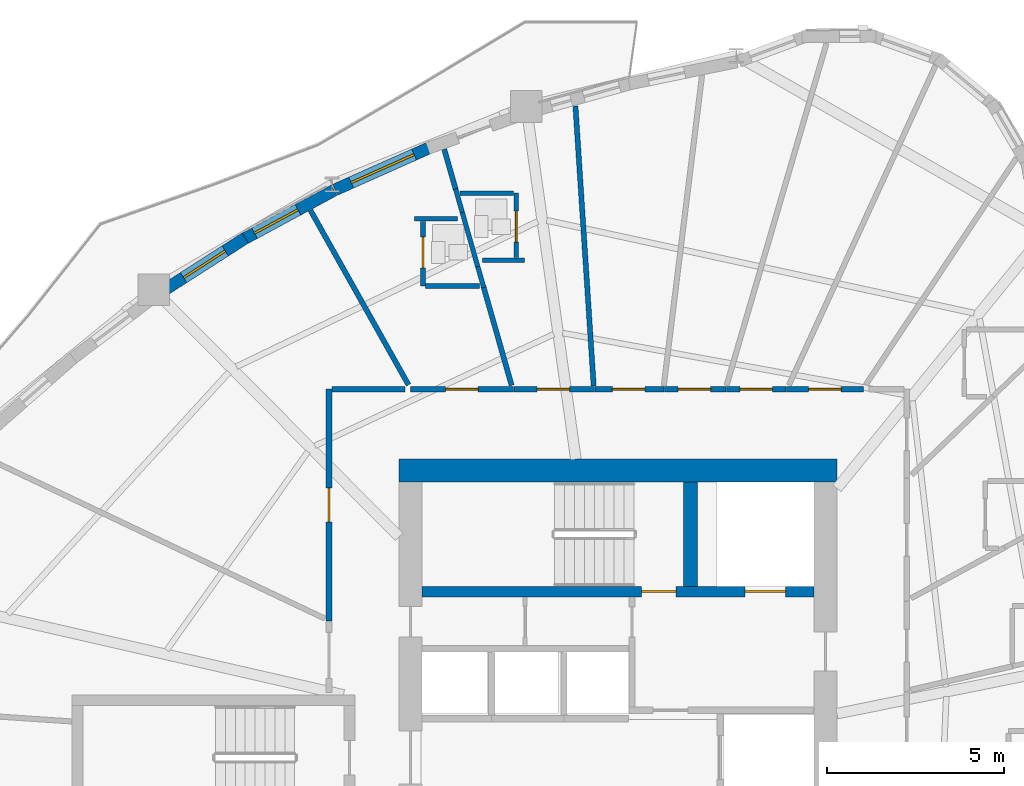
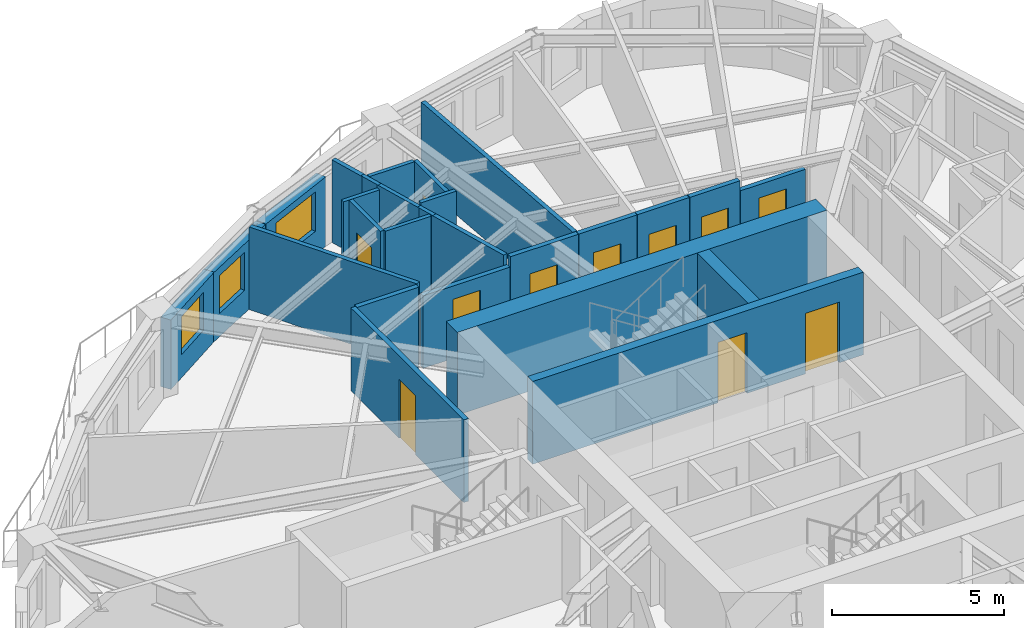
# One storey, part 9 of 17: 27 walls, 11 doors, 3 windows, 14 openings.
"""IFC4 building model written with IfcOpenShell, lengths in metres."""

from ifc_helpers import new_model, si_unit, direction, frame, frame_2d, origin, place, context, subcontext, project, spatial, rectangle, extrude, source, transform, mapped, material, layer, layer_set, type_object, element, fill, save


model = new_model("IFC4")

# Units and contexts
model_context = context("Model", 3, precision=1e-05, world=origin(), true_north=direction((0.0, 1.0)))
body_context = subcontext(model_context, "Body", "Model", "MODEL_VIEW")
ifc_project = project(units=[si_unit("LENGTHUNIT", "METRE"), si_unit("AREAUNIT", "SQUARE_METRE"), si_unit("VOLUMEUNIT", "CUBIC_METRE"), si_unit("PLANEANGLEUNIT", "RADIAN"), si_unit("MASSUNIT", "GRAM", prefix="KILO")], contexts=[model_context])

# Site, building, storey
site_placement = place(None, origin())
site = spatial("IfcSite", under=ifc_project, at=site_placement, CompositionType="ELEMENT")
building_placement = place(site_placement, origin())
building = spatial("IfcBuilding", under=site, at=building_placement, Name="Qafzar Sky-Pleat Residences", CompositionType="ELEMENT")
storey_placement = place(building_placement, frame((0.0, 0.0, 108.800048828125)))
storey = spatial("IfcBuildingStorey", under=building, at=storey_placement, Name="L32", CompositionType="ELEMENT", Elevation=108.800048828125)

# Wall, opening, door
ifc_material_1 = material(Name="Acoustic gypsum plasterboard partition", Category="gypsum")
ifc_layer_1 = layer(ifc_material_1, 0.159912109375)
ifc_layer_set_1 = layer_set([ifc_layer_1], Name="Acoustic gypsum plasterboard partition")
wall_type_1 = type_object("IfcWallType", Name="PART-COR-160", PredefinedType="PARTITIONING", material=ifc_layer_set_1)
wall_1_placement = place(storey_placement, frame((22.169921875, 29.864990234375, 0.0), z_axis=(0.0, 0.0, 1.0), x_axis=(0.0, 1.0, 0.0)))
wall_1 = element("IfcWall", 1, at=wall_1_placement, inside=storey, type_object=wall_type_1, Name="L32 Partition Wall PART-L32-PW-003", PredefinedType="PARTITIONING", context=body_context, shape_type="SweptSolid", body=[
    extrude(rectangle(XDim=6.56494140625, YDim=0.159912109375, at=frame_2d((3.282470703125, 0.0))), origin(), (0.0, 0.0, 1.0), 2.93505859375),
])
opening_1_placement = place(wall_1_placement, frame((2.810546875, 0.0, 0.0)))
opening_1 = element("IfcOpeningElement", 2, at=opening_1_placement, cuts=wall_1, Name="Opening ID-06", PredefinedType="OPENING", context=body_context, shape_type="SweptSolid", body=[
    extrude(rectangle(XDim=0.9599609375, YDim=2.10009765625, at=frame_2d((0.47998046875, 1.050048828125))), frame((0.0, 0.08984375, 0.0), z_axis=(0.0, -1.0, 0.0), x_axis=(1.0, 0.0, 0.0)), (0.0, 0.0, 1.0), 0.179931640625),
])
ifc_material_2 = material(Name="Timber-faced fire door", Category="wood")
door_type_1 = type_object("IfcDoorType", Name="DR-STD-960", OperationType="NOTDEFINED", PredefinedType="DOOR", material=ifc_material_2)
shared_shape_1 = source(origin(), body_context, "Body", "SweptSolid", [
    extrude(rectangle(XDim=0.9599609375, YDim=2.10009765625, at=frame_2d((0.47998046875, 1.050048828125))), frame((0.0, 0.02490234375, 0.0), z_axis=(0.0, -1.0, 0.0), x_axis=(1.0, 0.0, 0.0)), (0.0, 0.0, 1.0), 0.050048828125),
])
door_1_placement = place(opening_1_placement, origin())
door_1 = element("IfcDoor", 3, at=door_1_placement, inside=storey, type_object=door_type_1, Name="L32 Reading Library Door", OperationType="SINGLE_SWING_LEFT", OverallHeight=2.10009765625, OverallWidth=0.9599609375, PredefinedType="DOOR", context=body_context, shape_type="MappedRepresentation", body=[
    mapped(shared_shape_1, transform((0.0, 0.0, 0.0), x_axis=(1.0, 0.0, 0.0), y_axis=(0.0, 1.0, 0.0), z_axis=(0.0, 0.0, 1.0), scale=1.0)),
])
fill(opening_1, door_1)

wall_2_placement = place(storey_placement, frame((24.47412109375, 36.429931640625, 0.0), z_axis=(0.0, 0.0, 1.0), x_axis=(1.0, 0.0, 0.0)))
wall_2 = element("IfcWall", 4, at=wall_2_placement, inside=storey, type_object=wall_type_1, Name="L32 Partition Wall PART-L32-PW-009", PredefinedType="PARTITIONING", context=body_context, shape_type="SweptSolid", body=[
    extrude(rectangle(XDim=2.913818359375, YDim=0.159912109375, at=frame_2d((1.45703125, 0.0))), origin(), (0.0, 0.0, 1.0), 2.572998046875),
])
opening_2_placement = place(wall_2_placement, frame((0.99755859375, 0.0, 0.0)))
opening_2 = element("IfcOpeningElement", 5, at=opening_2_placement, cuts=wall_2, Name="Opening ID-04", PredefinedType="OPENING", context=body_context, shape_type="SweptSolid", body=[
    extrude(rectangle(XDim=0.919921875, YDim=2.10009765625, at=frame_2d((0.4599609375, 1.050048828125))), frame((0.0, 0.08984375, 0.0), z_axis=(0.0, -1.0, 0.0), x_axis=(1.0, 0.0, 0.0)), (0.0, 0.0, 1.0), 0.179931640625),
])
door_type_2 = type_object("IfcDoorType", Name="DR-BED-920", OperationType="NOTDEFINED", PredefinedType="DOOR", material=ifc_material_2)
shared_shape_2 = source(origin(), body_context, "Body", "SweptSolid", [
    extrude(rectangle(XDim=0.919921875, YDim=2.10009765625, at=frame_2d((0.4599609375, 1.050048828125))), frame((0.0, 0.02490234375, 0.0), z_axis=(0.0, -1.0, 0.0), x_axis=(1.0, 0.0, 0.0)), (0.0, 0.0, 1.0), 0.050048828125),
])
door_2_placement = place(opening_2_placement, origin())
door_2 = element("IfcDoor", 6, at=door_2_placement, inside=storey, type_object=door_type_2, Name="L32 Co-Living Bedroom 5 Door", OperationType="SINGLE_SWING_RIGHT", OverallHeight=2.10009765625, OverallWidth=0.919921875, PredefinedType="DOOR", context=body_context, shape_type="MappedRepresentation", body=[
    mapped(shared_shape_2, transform((0.0, 0.0, 0.0), x_axis=(1.0, 0.0, 0.0), y_axis=(0.0, 1.0, 0.0), z_axis=(0.0, 0.0, 1.0), scale=1.0)),
])
fill(opening_2, door_2)

wall_3_placement = place(storey_placement, frame((27.403076171875, 36.429931640625, 0.0), z_axis=(0.0, 0.0, 1.0), x_axis=(1.0, 0.0, 0.0)))
wall_3 = element("IfcWall", 7, at=wall_3_placement, inside=storey, type_object=wall_type_1, Name="L32 Partition Wall PART-L32-PW-015", PredefinedType="PARTITIONING", context=body_context, shape_type="SweptSolid", body=[
    extrude(rectangle(XDim=2.281982421875, YDim=0.159912109375, at=frame_2d((1.14111328125, 0.0))), origin(), (0.0, 0.0, 1.0), 2.93505859375),
])
opening_3_placement = place(wall_3_placement, frame((0.657958984375, 0.0, 0.0)))
opening_3 = element("IfcOpeningElement", 8, at=opening_3_placement, cuts=wall_3, Name="Opening ID-04", PredefinedType="OPENING", context=body_context, shape_type="SweptSolid", body=[
    extrude(rectangle(XDim=0.919921875, YDim=2.10009765625, at=frame_2d((0.4599609375, 1.050048828125))), frame((0.0, 0.08984375, 0.0), z_axis=(0.0, -1.0, 0.0), x_axis=(1.0, 0.0, 0.0)), (0.0, 0.0, 1.0), 0.179931640625),
])
door_3_placement = place(opening_3_placement, origin())
door_3 = element("IfcDoor", 9, at=door_3_placement, inside=storey, type_object=door_type_2, Name="L32 Co-Living Bedroom 6 Door", OperationType="SINGLE_SWING_LEFT", OverallHeight=2.10009765625, OverallWidth=0.919921875, PredefinedType="DOOR", context=body_context, shape_type="MappedRepresentation", body=[
    mapped(shared_shape_2, transform((0.0, 0.0, 0.0), x_axis=(1.0, 0.0, 0.0), y_axis=(0.0, 1.0, 0.0), z_axis=(0.0, 0.0, 1.0), scale=1.0)),
])
fill(opening_3, door_3)

wall_4_placement = place(storey_placement, frame((35.12109375, 36.429931640625, 0.0), z_axis=(0.0, 0.0, 1.0), x_axis=(1.0, 0.0, 0.0)))
wall_4 = element("IfcWall", 10, at=wall_4_placement, inside=storey, type_object=wall_type_1, Name="L32 Partition Wall PART-L32-PW-016", PredefinedType="PARTITIONING", context=body_context, shape_type="SweptSolid", body=[
    extrude(rectangle(XDim=2.178955078125, YDim=0.159912109375, at=frame_2d((1.08935546875, 0.0))), origin(), (0.0, 0.0, 1.0), 2.572998046875),
])
opening_4_placement = place(wall_4_placement, frame((0.62841796875, 0.0, 0.0)))
opening_4 = element("IfcOpeningElement", 11, at=opening_4_placement, cuts=wall_4, Name="Opening ID-04", PredefinedType="OPENING", context=body_context, shape_type="SweptSolid", body=[
    extrude(rectangle(XDim=0.919921875, YDim=2.10009765625, at=frame_2d((0.4599609375, 1.050048828125))), frame((0.0, 0.08984375, 0.0), z_axis=(0.0, -1.0, 0.0), x_axis=(1.0, 0.0, 0.0)), (0.0, 0.0, 1.0), 0.179931640625),
])
door_4_placement = place(opening_4_placement, origin())
door_4 = element("IfcDoor", 12, at=door_4_placement, inside=storey, type_object=door_type_2, Name="L32 Co-Living Bedroom 2 Door", OperationType="SINGLE_SWING_RIGHT", OverallHeight=2.10009765625, OverallWidth=0.919921875, PredefinedType="DOOR", context=body_context, shape_type="MappedRepresentation", body=[
    mapped(shared_shape_2, transform((0.0, 0.0, 0.0), x_axis=(1.0, 0.0, 0.0), y_axis=(0.0, 1.0, 0.0), z_axis=(0.0, 0.0, 1.0), scale=1.0)),
])
fill(opening_4, door_4)

wall_5_placement = place(storey_placement, frame((29.699951171875, 36.429931640625, 0.0), z_axis=(0.0, 0.0, 1.0), x_axis=(1.0, 0.0, 0.0)))
wall_5 = element("IfcWall", 13, at=wall_5_placement, inside=storey, type_object=wall_type_1, Name="L32 Partition Wall PART-L32-PW-018", PredefinedType="PARTITIONING", context=body_context, shape_type="SweptSolid", body=[
    extrude(rectangle(XDim=1.950927734375, YDim=0.159912109375, at=frame_2d((0.9755859375, 0.0))), origin(), (0.0, 0.0, 1.0), 2.93505859375),
])
opening_5_placement = place(wall_5_placement, frame((0.492919921875, 0.0, 0.0)))
opening_5 = element("IfcOpeningElement", 14, at=opening_5_placement, cuts=wall_5, Name="Opening ID-04", PredefinedType="OPENING", context=body_context, shape_type="SweptSolid", body=[
    extrude(rectangle(XDim=0.919921875, YDim=2.10009765625, at=frame_2d((0.4599609375, 1.050048828125))), frame((0.0, 0.08984375, 0.0), z_axis=(0.0, -1.0, 0.0), x_axis=(1.0, 0.0, 0.0)), (0.0, 0.0, 1.0), 0.179931640625),
])
door_5_placement = place(opening_5_placement, origin())
door_5 = element("IfcDoor", 15, at=door_5_placement, inside=storey, type_object=door_type_2, Name="L32 Co-Living Bedroom 3 Door", OperationType="SINGLE_SWING_LEFT", OverallHeight=2.10009765625, OverallWidth=0.919921875, PredefinedType="DOOR", context=body_context, shape_type="MappedRepresentation", body=[
    mapped(shared_shape_2, transform((0.0, 0.0, 0.0), x_axis=(1.0, 0.0, 0.0), y_axis=(0.0, 1.0, 0.0), z_axis=(0.0, 0.0, 1.0), scale=1.0)),
])
fill(opening_5, door_5)

wall_6_placement = place(storey_placement, frame((31.666015625, 36.429931640625, 0.0), z_axis=(0.0, 0.0, 1.0), x_axis=(1.0, 0.0, 0.0)))
wall_6 = element("IfcWall", 16, at=wall_6_placement, inside=storey, type_object=wall_type_1, Name="L32 Partition Wall PART-L32-PW-028", PredefinedType="PARTITIONING", context=body_context, shape_type="SweptSolid", body=[
    extrude(rectangle(XDim=1.744873046875, YDim=0.159912109375, at=frame_2d((0.87255859375, 0.0))), origin(), (0.0, 0.0, 1.0), 2.93505859375),
])
opening_6_placement = place(wall_6_placement, frame((0.389404296875, 0.0, 0.0)))
opening_6 = element("IfcOpeningElement", 17, at=opening_6_placement, cuts=wall_6, Name="Opening ID-04", PredefinedType="OPENING", context=body_context, shape_type="SweptSolid", body=[
    extrude(rectangle(XDim=0.919921875, YDim=2.10009765625, at=frame_2d((0.4599609375, 1.050048828125))), frame((0.0, 0.08984375, 0.0), z_axis=(0.0, -1.0, 0.0), x_axis=(1.0, 0.0, 0.0)), (0.0, 0.0, 1.0), 0.179931640625),
])
door_6_placement = place(opening_6_placement, origin())
door_6 = element("IfcDoor", 18, at=door_6_placement, inside=storey, type_object=door_type_2, Name="L32 Co-Living Bedroom 4 Door", OperationType="SINGLE_SWING_LEFT", OverallHeight=2.10009765625, OverallWidth=0.919921875, PredefinedType="DOOR", context=body_context, shape_type="MappedRepresentation", body=[
    mapped(shared_shape_2, transform((0.0, 0.0, 0.0), x_axis=(1.0, 0.0, 0.0), y_axis=(0.0, 1.0, 0.0), z_axis=(0.0, 0.0, 1.0), scale=1.0)),
])
fill(opening_6, door_6)

wall_7_placement = place(storey_placement, frame((33.426025390625, 36.429931640625, 0.0), z_axis=(0.0, 0.0, 1.0), x_axis=(1.0, 0.0, 0.0)))
wall_7 = element("IfcWall", 19, at=wall_7_placement, inside=storey, type_object=wall_type_1, Name="L32 Partition Wall PART-L32-PW-030", PredefinedType="PARTITIONING", context=body_context, shape_type="SweptSolid", body=[
    extrude(rectangle(XDim=1.679931640625, YDim=0.159912109375, at=frame_2d((0.83984375, 0.0))), origin(), (0.0, 0.0, 1.0), 2.93505859375),
])
opening_7_placement = place(wall_7_placement, frame((0.3798828125, 0.0, 0.0)))
opening_7 = element("IfcOpeningElement", 20, at=opening_7_placement, cuts=wall_7, Name="Opening ID-04", PredefinedType="OPENING", context=body_context, shape_type="SweptSolid", body=[
    extrude(rectangle(XDim=0.919921875, YDim=2.10009765625, at=frame_2d((0.4599609375, 1.050048828125))), frame((0.0, 0.08984375, 0.0), z_axis=(0.0, -1.0, 0.0), x_axis=(1.0, 0.0, 0.0)), (0.0, 0.0, 1.0), 0.179931640625),
])
door_7_placement = place(opening_7_placement, origin())
door_7 = element("IfcDoor", 21, at=door_7_placement, inside=storey, type_object=door_type_2, Name="L32 Co-Living Bedroom 1 Door", OperationType="SINGLE_SWING_RIGHT", OverallHeight=2.10009765625, OverallWidth=0.919921875, PredefinedType="DOOR", context=body_context, shape_type="MappedRepresentation", body=[
    mapped(shared_shape_2, transform((0.0, 0.0, 0.0), x_axis=(1.0, 0.0, 0.0), y_axis=(0.0, 1.0, 0.0), z_axis=(0.0, 0.0, 1.0), scale=1.0)),
])
fill(opening_7, door_7)

# Walls
wall_8_placement = place(storey_placement, frame((22.258056640625, 36.429931640625, 0.0), z_axis=(0.0, 0.0, 1.0), x_axis=(1.0, 0.0, 0.0)))
element("IfcWall", 22, at=wall_8_placement, inside=storey, type_object=wall_type_1, Name="L32 Partition Wall PART-L32-PW-054", PredefinedType="PARTITIONING", context=body_context, shape_type="SweptSolid", body=[
    extrude(rectangle(XDim=2.06494140625, YDim=0.159912109375, at=frame_2d((1.032470703125, 0.0))), origin(), (0.0, 0.0, 1.0), 2.93505859375),
])
ifc_layer_2 = layer(ifc_material_1, 0.14501953125)
ifc_layer_set_2 = layer_set([ifc_layer_2], Name="Acoustic gypsum plasterboard partition")
wall_type_2 = type_object("IfcWallType", Name="PART-UNIT-145", PredefinedType="PARTITIONING", material=ifc_layer_set_2)
wall_9_placement = place(storey_placement, frame((29.147216796875, 44.443603515625, 0.0), z_axis=(0.0, 0.0, 1.0), x_axis=(0.065112427166, -0.997877934333, 0.0)))
element("IfcWall", 23, at=wall_9_placement, inside=storey, type_object=wall_type_2, Name="L32 Partition Wall PART-L32-PW-039", PredefinedType="PARTITIONING", context=body_context, shape_type="SweptSolid", body=[
    extrude(rectangle(XDim=7.937744140625, YDim=0.14501953125, at=frame_2d((3.96875, 0.0))), origin(), (0.0, 0.0, 1.0), 2.93505859375),
])
wall_10_placement = place(storey_placement, frame((21.645263671875, 41.49658203125, 0.0), z_axis=(0.0, 0.0, 1.0), x_axis=(0.489699005063, -0.871891555436, 0.0)))
element("IfcWall", 24, at=wall_10_placement, inside=storey, type_object=wall_type_2, Name="L32 Partition Wall PART-L32-PW-043", PredefinedType="PARTITIONING", context=body_context, shape_type="SweptSolid", body=[
    extrude(rectangle(XDim=5.670654296875, YDim=0.14501953125, at=frame_2d((2.83544921875, 0.0))), origin(), (0.0, 0.0, 1.0), 2.93505859375),
])
wall_11_placement = place(storey_placement, frame((26.5390625, 39.35107421875, 0.0), z_axis=(0.0, 0.0, 1.0), x_axis=(0.274214096408, -0.961668669205, 0.0)))
element("IfcWall", 25, at=wall_11_placement, inside=storey, type_object=wall_type_2, Name="L32 Partition Wall PART-L32-PW-050", PredefinedType="PARTITIONING", context=body_context, shape_type="SweptSolid", body=[
    extrude(rectangle(XDim=2.925537109375, YDim=0.14501953125, at=frame_2d((1.462890625, 0.0))), origin(), (0.0, 0.0, 1.0), 2.93505859375),
])
wall_12_placement = place(storey_placement, frame((25.433349609375, 43.221923828125, 0.0), z_axis=(0.0, 0.0, 1.0), x_axis=(0.274641170969, -0.961546788882, 0.0)))
element("IfcWall", 26, at=wall_12_placement, inside=storey, type_object=wall_type_2, Name="L32 Partition Wall PART-L32-PW-078", PredefinedType="PARTITIONING", context=body_context, shape_type="SweptSolid", body=[
    extrude(rectangle(XDim=1.2099609375, YDim=0.14501953125, at=frame_2d((0.60498046875, 0.0))), origin(), (0.0, 0.0, 1.0), 2.93505859375),
])

# Wall, opening, door
ifc_material_3 = material(Name="Moisture-resistant gypsum partition", Category="gypsum")
ifc_layer_3 = layer(ifc_material_3, 0.1298828125)
ifc_layer_set_3 = layer_set([ifc_layer_3], Name="Moisture-resistant gypsum partition")
wall_type_3 = type_object("IfcWallType", Name="PART-WET-130", PredefinedType="PARTITIONING", material=ifc_layer_set_3)
wall_13_placement = place(storey_placement, frame((24.8310546875, 41.177978515625, 0.0), z_axis=(0.0, 0.0, 1.0), x_axis=(0.0, -1.0, 0.0)))
wall_13 = element("IfcWall", 27, at=wall_13_placement, inside=storey, type_object=wall_type_3, Name="L32 Partition Wall PART-L32-PW-022", PredefinedType="PARTITIONING", context=body_context, shape_type="SweptSolid", body=[
    extrude(rectangle(XDim=1.826904296875, YDim=0.1298828125, at=frame_2d((0.91357421875, 0.0))), origin(), (0.0, 0.0, 1.0), 2.93505859375),
])
opening_8_placement = place(wall_13_placement, frame((0.43701171875, 0.0, 0.0)))
opening_8 = element("IfcOpeningElement", 28, at=opening_8_placement, cuts=wall_13, Name="Opening ID-07", PredefinedType="OPENING", context=body_context, shape_type="SweptSolid", body=[
    extrude(rectangle(XDim=0.8798828125, YDim=2.050048828125, at=frame_2d((0.43994140625, 1.02490234375))), frame((0.0, 0.074951171875, 0.0), z_axis=(0.0, -1.0, 0.0), x_axis=(1.0, 0.0, 0.0)), (0.0, 0.0, 1.0), 0.14990234375),
])
door_type_3 = type_object("IfcDoorType", Name="DR-WET-880", OperationType="NOTDEFINED", PredefinedType="DOOR", material=ifc_material_2)
shared_shape_3 = source(origin(), body_context, "Body", "SweptSolid", [
    extrude(rectangle(XDim=0.8798828125, YDim=2.050048828125, at=frame_2d((0.43994140625, 1.02490234375))), frame((0.0, 0.02490234375, 0.0), z_axis=(0.0, -1.0, 0.0), x_axis=(1.0, 0.0, 0.0)), (0.0, 0.0, 1.0), 0.050048828125),
])
door_8_placement = place(opening_8_placement, origin())
door_8 = element("IfcDoor", 29, at=door_8_placement, inside=storey, type_object=door_type_3, Name="L32 En-suite Bathroom 5 Door", OperationType="SINGLE_SWING_LEFT", OverallHeight=2.050048828125, OverallWidth=0.8798828125, PredefinedType="DOOR", context=body_context, shape_type="MappedRepresentation", body=[
    mapped(shared_shape_3, transform((0.0, 0.0, 0.0), x_axis=(1.0, 0.0, 0.0), y_axis=(0.0, 1.0, 0.0), z_axis=(0.0, 0.0, 1.0), scale=1.0)),
])
fill(opening_8, door_8)

wall_14_placement = place(storey_placement, frame((27.469970703125, 40.154052734375, 0.0), z_axis=(0.0, 0.0, 1.0), x_axis=(0.0, 1.0, 0.0)))
wall_14 = element("IfcWall", 30, at=wall_14_placement, inside=storey, type_object=wall_type_3, Name="L32 Partition Wall PART-L32-PW-023", PredefinedType="PARTITIONING", context=body_context, shape_type="SweptSolid", body=[
    extrude(rectangle(XDim=1.826904296875, YDim=0.1298828125, at=frame_2d((0.91357421875, 0.0))), origin(), (0.0, 0.0, 1.0), 2.93505859375),
])
opening_9_placement = place(wall_14_placement, frame((0.43701171875, 0.0, 0.0)))
opening_9 = element("IfcOpeningElement", 31, at=opening_9_placement, cuts=wall_14, Name="Opening ID-07", PredefinedType="OPENING", context=body_context, shape_type="SweptSolid", body=[
    extrude(rectangle(XDim=0.8798828125, YDim=2.050048828125, at=frame_2d((0.43994140625, 1.02490234375))), frame((0.0, 0.074951171875, 0.0), z_axis=(0.0, -1.0, 0.0), x_axis=(1.0, 0.0, 0.0)), (0.0, 0.0, 1.0), 0.14990234375),
])
door_9_placement = place(opening_9_placement, origin())
door_9 = element("IfcDoor", 32, at=door_9_placement, inside=storey, type_object=door_type_3, Name="L32 En-suite Bathroom 6 Door", OperationType="SINGLE_SWING_RIGHT", OverallHeight=2.050048828125, OverallWidth=0.8798828125, PredefinedType="DOOR", context=body_context, shape_type="MappedRepresentation", body=[
    mapped(shared_shape_3, transform((0.0, 0.0, 0.0), x_axis=(1.0, 0.0, 0.0), y_axis=(0.0, 1.0, 0.0), z_axis=(0.0, 0.0, 1.0), scale=1.0)),
])
fill(opening_9, door_9)

# Walls
wall_15_placement = place(storey_placement, frame((24.904052734375, 39.35107421875, 0.0), z_axis=(0.0, 0.0, 1.0), x_axis=(1.0, 0.0, 0.0)))
element("IfcWall", 33, at=wall_15_placement, inside=storey, type_object=wall_type_3, Name="L32 Partition Wall PART-L32-PW-065", PredefinedType="PARTITIONING", context=body_context, shape_type="SweptSolid", body=[
    extrude(rectangle(XDim=1.532958984375, YDim=0.1298828125, at=frame_2d((0.7666015625, 0.0))), origin(), (0.0, 0.0, 1.0), 2.93505859375),
])
wall_16_placement = place(storey_placement, frame((25.882080078125, 41.98095703125, 0.0), z_axis=(0.0, 0.0, 1.0), x_axis=(1.0, 0.0, 0.0)))
element("IfcWall", 34, at=wall_16_placement, inside=storey, type_object=wall_type_3, Name="L32 Partition Wall PART-L32-PW-068", PredefinedType="PARTITIONING", context=body_context, shape_type="SweptSolid", body=[
    extrude(rectangle(XDim=1.514892578125, YDim=0.1298828125, at=frame_2d((0.75732421875, 0.0))), origin(), (0.0, 0.0, 1.0), 2.93505859375),
])
wall_17_placement = place(storey_placement, frame((25.93017578125, 41.481689453125, 0.0), z_axis=(0.0, 0.0, 1.0), x_axis=(0.274344452215, -0.961631489469, 0.0)))
element("IfcWall", 35, at=wall_17_placement, inside=storey, type_object=wall_type_3, Name="L32 Partition Wall PART-L32-PW-080", PredefinedType="PARTITIONING", context=body_context, shape_type="SweptSolid", body=[
    extrude(rectangle(XDim=1.712158203125, YDim=0.1298828125, at=frame_2d((0.85595703125, 0.0))), origin(), (0.0, 0.0, 1.0), 2.93505859375),
])
wall_18_placement = place(storey_placement, frame((24.591064453125, 41.2509765625, 0.0), z_axis=(0.0, 0.0, 1.0), x_axis=(1.0, 0.0, 0.0)))
element("IfcWall", 36, at=wall_18_placement, inside=storey, type_object=wall_type_3, Name="L32 Partition Wall PART-L32-PW-084", PredefinedType="PARTITIONING", context=body_context, shape_type="SweptSolid", body=[
    extrude(rectangle(XDim=1.21484375, YDim=0.1298828125, at=frame_2d((0.607421875, 0.0))), origin(), (0.0, 0.0, 1.0), 2.93505859375),
])
wall_19_placement = place(storey_placement, frame((26.52001953125, 40.0810546875, 0.0), z_axis=(0.0, 0.0, 1.0), x_axis=(1.0, 0.0, 0.0)))
element("IfcWall", 37, at=wall_19_placement, inside=storey, type_object=wall_type_3, Name="L32 Partition Wall PART-L32-PW-085", PredefinedType="PARTITIONING", context=body_context, shape_type="SweptSolid", body=[
    extrude(rectangle(XDim=1.18994140625, YDim=0.1298828125, at=frame_2d((0.594970703125, 0.0))), origin(), (0.0, 0.0, 1.0), 2.93505859375),
])
wall_20_placement = place(storey_placement, frame((26.382568359375, 39.89794921875, 0.0), z_axis=(0.0, 0.0, 1.0), x_axis=(0.274982401426, -0.961449259663, 0.0)))
element("IfcWall", 38, at=wall_20_placement, inside=storey, type_object=wall_type_3, Name="L32 Partition Wall PART-L32-PW-089", PredefinedType="PARTITIONING", context=body_context, shape_type="SweptSolid", body=[
    extrude(rectangle(XDim=0.616943359375, YDim=0.1298828125, at=frame_2d((0.30859375, 0.0))), origin(), (0.0, 0.0, 1.0), 2.93505859375),
])
wall_21_placement = place(storey_placement, frame((25.754638671875, 42.09912109375, 0.0), z_axis=(0.0, 0.0, 1.0), x_axis=(0.273881956808, -0.961763314821, 0.0)))
element("IfcWall", 39, at=wall_21_placement, inside=storey, type_object=wall_type_3, Name="L32 Partition Wall PART-L32-PW-090", PredefinedType="PARTITIONING", context=body_context, shape_type="SweptSolid", body=[
    extrude(rectangle(XDim=0.691650390625, YDim=0.1298828125, at=frame_2d((0.345703125, 0.0))), origin(), (0.0, 0.0, 1.0), 2.93505859375),
])

# Wall, opening, window
ifc_material_4 = material(Name="Precast concrete C40/50 with honed Riyadh limestone", Category="concrete")
ifc_layer_4 = layer(ifc_material_4, 0.340087890625)
ifc_layer_set_4 = layer_set([ifc_layer_4], Name="Precast concrete C40/50 with honed Riyadh limestone")
wall_type_4 = type_object("IfcWallType", Name="WALL-EXT-340", PredefinedType="SOLIDWALL", material=ifc_layer_set_4)
wall_22_placement = place(storey_placement, frame((25.052001953125, 43.28271484375, 0.0), z_axis=(0.0, 0.0, 1.0), x_axis=(-0.913400340023, -0.407062426227, 0.0)))
wall_22 = element("IfcWall", 40, at=wall_22_placement, inside=storey, type_object=wall_type_4, Name="L32 Limestone Facade Wall 42", PredefinedType="SOLIDWALL", context=body_context, shape_type="SweptSolid", body=[
    extrude(rectangle(XDim=2.9658203125, YDim=0.340087890625, at=frame_2d((1.48291015625, 0.0))), origin(), (0.0, 0.0, 1.0), 2.46484375),
])
opening_10_placement = place(wall_22_placement, frame((0.517822265625, 0.0, 0.820068359375)))
opening_10 = element("IfcOpeningElement", 41, at=opening_10_placement, cuts=wall_22, Name="Opening WN-08", PredefinedType="OPENING", context=body_context, shape_type="SweptSolid", body=[
    extrude(rectangle(XDim=1.949951171875, YDim=1.39990234375, at=frame_2d((0.97509765625, 0.699951171875))), frame((0.0, 0.18017578125, 0.0), z_axis=(0.0, -1.0, 0.0), x_axis=(1.0, 0.0, 0.0)), (0.0, 0.0, 1.0), 0.360107421875),
])
ifc_material_5 = material(Name="Solar-control low-E glass in bronze aluminium frame", Category="glass")
window_type_1 = type_object("IfcWindowType", Name="WIN-08", PartitioningType="DOUBLE_PANEL_VERTICAL", PredefinedType="WINDOW", material=ifc_material_5)
shared_shape_4 = source(origin(), body_context, "Body", "SweptSolid", [
    extrude(rectangle(XDim=1.949951171875, YDim=1.39990234375, at=frame_2d((0.97509765625, 0.699951171875))), frame((0.0, 0.030029296875, 0.0), z_axis=(0.0, -1.0, 0.0), x_axis=(1.0, 0.0, 0.0)), (0.0, 0.0, 1.0), 0.06005859375),
])
window_1_placement = place(opening_10_placement, origin())
window_1 = element("IfcWindow", 42, at=window_1_placement, inside=storey, type_object=window_type_1, Name="L32 Punched Facade Window 42", OverallHeight=1.39990234375, OverallWidth=1.949951171875, PartitioningType="SINGLE_PANEL", PredefinedType="WINDOW", context=body_context, shape_type="MappedRepresentation", body=[
    mapped(shared_shape_4, transform((0.0, 0.0, 0.0), x_axis=(1.0, 0.0, 0.0), y_axis=(0.0, 1.0, 0.0), z_axis=(0.0, 0.0, 1.0), scale=1.0)),
])
fill(opening_10, window_1)

wall_23_placement = place(storey_placement, frame((22.318603515625, 42.0634765625, 0.0), z_axis=(0.0, 0.0, 1.0), x_axis=(-0.880050731383, -0.4748796797, 0.0)))
wall_23 = element("IfcWall", 43, at=wall_23_placement, inside=storey, type_object=wall_type_4, Name="L32 Limestone Facade Wall 43", PredefinedType="SOLIDWALL", context=body_context, shape_type="SweptSolid", body=[
    extrude(rectangle(XDim=2.948974609375, YDim=0.340087890625, at=frame_2d((1.474609375, 0.0))), origin(), (0.0, 0.0, 1.0), 2.46484375),
])
opening_11_placement = place(wall_23_placement, frame((1.165771484375, 0.0, 0.820068359375)))
opening_11 = element("IfcOpeningElement", 44, at=opening_11_placement, cuts=wall_23, Name="Opening WN-10", PredefinedType="OPENING", context=body_context, shape_type="SweptSolid", body=[
    extrude(rectangle(XDim=1.39990234375, YDim=1.35009765625, at=frame_2d((0.699951171875, 0.675048828125))), frame((0.0, 0.18017578125, 0.0), z_axis=(0.0, -1.0, 0.0), x_axis=(1.0, 0.0, 0.0)), (0.0, 0.0, 1.0), 0.360107421875),
])
window_type_2 = type_object("IfcWindowType", Name="WIN-10", PartitioningType="SINGLE_PANEL", PredefinedType="WINDOW", material=ifc_material_5)
shared_shape_5 = source(origin(), body_context, "Body", "SweptSolid", [
    extrude(rectangle(XDim=1.39990234375, YDim=1.35009765625, at=frame_2d((0.699951171875, 0.675048828125))), frame((0.0, 0.030029296875, 0.0), z_axis=(0.0, -1.0, 0.0), x_axis=(1.0, 0.0, 0.0)), (0.0, 0.0, 1.0), 0.06005859375),
])
window_2_placement = place(opening_11_placement, origin())
window_2 = element("IfcWindow", 45, at=window_2_placement, inside=storey, type_object=window_type_2, Name="L32 Punched Facade Window 43-2", OverallHeight=1.35009765625, OverallWidth=1.39990234375, PartitioningType="SINGLE_PANEL", PredefinedType="WINDOW", context=body_context, shape_type="MappedRepresentation", body=[
    mapped(shared_shape_5, transform((0.0, 0.0, 0.0), x_axis=(1.0, 0.0, 0.0), y_axis=(0.0, 1.0, 0.0), z_axis=(0.0, 0.0, 1.0), scale=1.0)),
])
fill(opening_11, window_2)

wall_24_placement = place(storey_placement, frame((19.7998046875, 40.70849609375, 0.0), z_axis=(0.0, 0.0, 1.0), x_axis=(-0.841470838401, -0.540302533883, 0.0)))
wall_24 = element("IfcWall", 46, at=wall_24_placement, inside=storey, type_object=wall_type_4, Name="L32 Limestone Facade Wall 44", PredefinedType="SOLIDWALL", context=body_context, shape_type="SweptSolid", body=[
    extrude(rectangle(XDim=2.7392578125, YDim=0.340087890625, at=frame_2d((1.36962890625, 0.0))), origin(), (0.0, 0.0, 1.0), 2.46484375),
])
opening_12_placement = place(wall_24_placement, frame((0.674560546875, 0.0, 0.820068359375)))
opening_12 = element("IfcOpeningElement", 47, at=opening_12_placement, cuts=wall_24, Name="Opening WN-10", PredefinedType="OPENING", context=body_context, shape_type="SweptSolid", body=[
    extrude(rectangle(XDim=1.39990234375, YDim=1.35009765625, at=frame_2d((0.699951171875, 0.675048828125))), frame((0.0, 0.18017578125, 0.0), z_axis=(0.0, -1.0, 0.0), x_axis=(1.0, 0.0, 0.0)), (0.0, 0.0, 1.0), 0.360107421875),
])
window_3_placement = place(opening_12_placement, origin())
window_3 = element("IfcWindow", 48, at=window_3_placement, inside=storey, type_object=window_type_2, Name="L32 Punched Facade Window 44", OverallHeight=1.35009765625, OverallWidth=1.39990234375, PartitioningType="SINGLE_PANEL", PredefinedType="WINDOW", context=body_context, shape_type="MappedRepresentation", body=[
    mapped(shared_shape_5, transform((0.0, 0.0, 0.0), x_axis=(1.0, 0.0, 0.0), y_axis=(0.0, 1.0, 0.0), z_axis=(0.0, 0.0, 1.0), scale=1.0)),
])
fill(opening_12, window_3)

# Wall, openings, doors
ifc_material_6 = material(Name="Concrete C60/75", Category="concrete")
ifc_layer_5 = layer(ifc_material_6, 0.300048828125)
ifc_layer_set_5 = layer_set([ifc_layer_5], Name="Concrete C60/75")
wall_type_5 = type_object("IfcWallType", Name="WALL-SHEAR-300", PredefinedType="SHEAR", material=ifc_layer_set_5)
wall_25_placement = place(storey_placement, frame((24.800048828125, 30.699951171875, 0.0), z_axis=(0.0, 0.0, 1.0), x_axis=(1.0, 0.0, 0.0)))
wall_25 = element("IfcWall", 49, at=wall_25_placement, inside=storey, type_object=wall_type_5, Name="L32 Stair ST2 and FF2 Shaft South Wall", PredefinedType="SHEAR", context=body_context, shape_type="SweptSolid", body=[
    extrude(rectangle(XDim=11.099853515625, YDim=0.300048828125, at=frame_2d((5.5498046875, 0.0))), origin(), (0.0, 0.0, 1.0), 2.93505859375),
])
opening_13_placement = place(wall_25_placement, frame((6.219970703125, 0.0, 0.0)))
opening_13 = element("IfcOpeningElement", 50, at=opening_13_placement, cuts=wall_25, Name="Opening ID-01", PredefinedType="OPENING", context=body_context, shape_type="SweptSolid", body=[
    extrude(rectangle(XDim=0.97998046875, YDim=2.14990234375, at=frame_2d((0.489990234375, 1.074951171875))), frame((0.0, 0.16015625, 0.0), z_axis=(0.0, -1.0, 0.0), x_axis=(1.0, 0.0, 0.0)), (0.0, 0.0, 1.0), 0.320068359375),
])
opening_14_placement = place(wall_25_placement, frame((9.14990234375, 0.0, 0.0)))
opening_14 = element("IfcOpeningElement", 51, at=opening_14_placement, cuts=wall_25, Name="Opening LD-02", PredefinedType="OPENING", context=body_context, shape_type="SweptSolid", body=[
    extrude(rectangle(XDim=1.14990234375, YDim=2.14990234375, at=frame_2d((0.574951171875, 1.074951171875))), frame((0.0, 0.16015625, 0.0), z_axis=(0.0, -1.0, 0.0), x_axis=(1.0, 0.0, 0.0)), (0.0, 0.0, 1.0), 0.320068359375),
])
door_type_4 = type_object("IfcDoorType", Name="DR-STAIR-980", OperationType="NOTDEFINED", PredefinedType="DOOR", material=ifc_material_2)
shared_shape_6 = source(origin(), body_context, "Body", "SweptSolid", [
    extrude(rectangle(XDim=0.97998046875, YDim=2.14990234375, at=frame_2d((0.489990234375, 1.074951171875))), frame((0.0, 0.02490234375, 0.0), z_axis=(0.0, -1.0, 0.0), x_axis=(1.0, 0.0, 0.0)), (0.0, 0.0, 1.0), 0.050048828125),
])
door_10_placement = place(opening_13_placement, origin())
door_10 = element("IfcDoor", 52, at=door_10_placement, inside=storey, type_object=door_type_4, Name="L32 Stair ST2 Fire Door", OperationType="SINGLE_SWING_LEFT", OverallHeight=2.14990234375, OverallWidth=0.97998046875, PredefinedType="DOOR", context=body_context, shape_type="MappedRepresentation", body=[
    mapped(shared_shape_6, transform((0.0, 0.0, 0.0), x_axis=(1.0, 0.0, 0.0), y_axis=(0.0, 1.0, 0.0), z_axis=(0.0, 0.0, 1.0), scale=1.0)),
])
fill(opening_13, door_10)
ifc_material_7 = material(Name="Stainless steel sliding landing door", Category="steel")
door_type_5 = type_object("IfcDoorType", Name="DR-LIFT-FF", OperationType="DOUBLE_DOOR_SLIDING", PredefinedType="DOOR", material=ifc_material_7)
shared_shape_7 = source(origin(), body_context, "Body", "SweptSolid", [
    extrude(rectangle(XDim=1.14990234375, YDim=2.14990234375, at=frame_2d((0.574951171875, 1.074951171875))), frame((0.0, 0.02490234375, 0.0), z_axis=(0.0, -1.0, 0.0), x_axis=(1.0, 0.0, 0.0)), (0.0, 0.0, 1.0), 0.050048828125),
])
door_11_placement = place(opening_14_placement, origin())
door_11 = element("IfcDoor", 53, at=door_11_placement, inside=storey, type_object=door_type_5, Name="L32 Firefighting Lift FF2 Landing Door", OperationType="DOUBLE_DOOR_SLIDING", OverallHeight=2.14990234375, OverallWidth=1.14990234375, PredefinedType="DOOR", context=body_context, shape_type="MappedRepresentation", body=[
    mapped(shared_shape_7, transform((0.0, 0.0, 0.0), x_axis=(1.0, 0.0, 0.0), y_axis=(0.0, 1.0, 0.0), z_axis=(0.0, 0.0, 1.0), scale=1.0)),
])
fill(opening_14, door_11)

# Walls
ifc_layer_6 = layer(ifc_material_6, 0.39990234375)
ifc_layer_set_6 = layer_set([ifc_layer_6], Name="Concrete C60/75")
wall_type_6 = type_object("IfcWallType", Name="WALL-SHEAR-400", PredefinedType="SHEAR", material=ifc_layer_set_6)
wall_26_placement = place(storey_placement, frame((32.39990234375, 30.85009765625, 0.0), z_axis=(0.0, 0.0, 1.0), x_axis=(0.0, 1.0, 0.0)))
element("IfcWall", 54, at=wall_26_placement, inside=storey, type_object=wall_type_6, Name="L32 Stair ST2 East Dividing Wall", PredefinedType="SHEAR", context=body_context, shape_type="SweptSolid", body=[
    extrude(rectangle(XDim=2.949951171875, YDim=0.39990234375, at=frame_2d((1.47509765625, 0.0))), origin(), (0.0, 0.0, 1.0), 2.93505859375),
])
ifc_layer_7 = layer(ifc_material_6, 0.64990234375)
ifc_layer_set_7 = layer_set([ifc_layer_7], Name="Concrete C60/75")
wall_type_7 = type_object("IfcWallType", Name="WALL-SHEAR-650", PredefinedType="SHEAR", material=ifc_layer_set_7)
wall_27_placement = place(storey_placement, frame((36.550048828125, 34.125, 0.0), z_axis=(0.0, 0.0, 1.0), x_axis=(-1.0, 0.0, 0.0)))
element("IfcWall", 55, at=wall_27_placement, inside=storey, type_object=wall_type_7, Name="L32 CORE wall N", PredefinedType="SHEAR", context=body_context, shape_type="SweptSolid", body=[
    extrude(rectangle(XDim=12.400146484375, YDim=0.64990234375, at=frame_2d((6.2001953125, 0.0))), origin(), (0.0, 0.0, 1.0), 2.93505859375),
])

save(model, "model.ifc")
